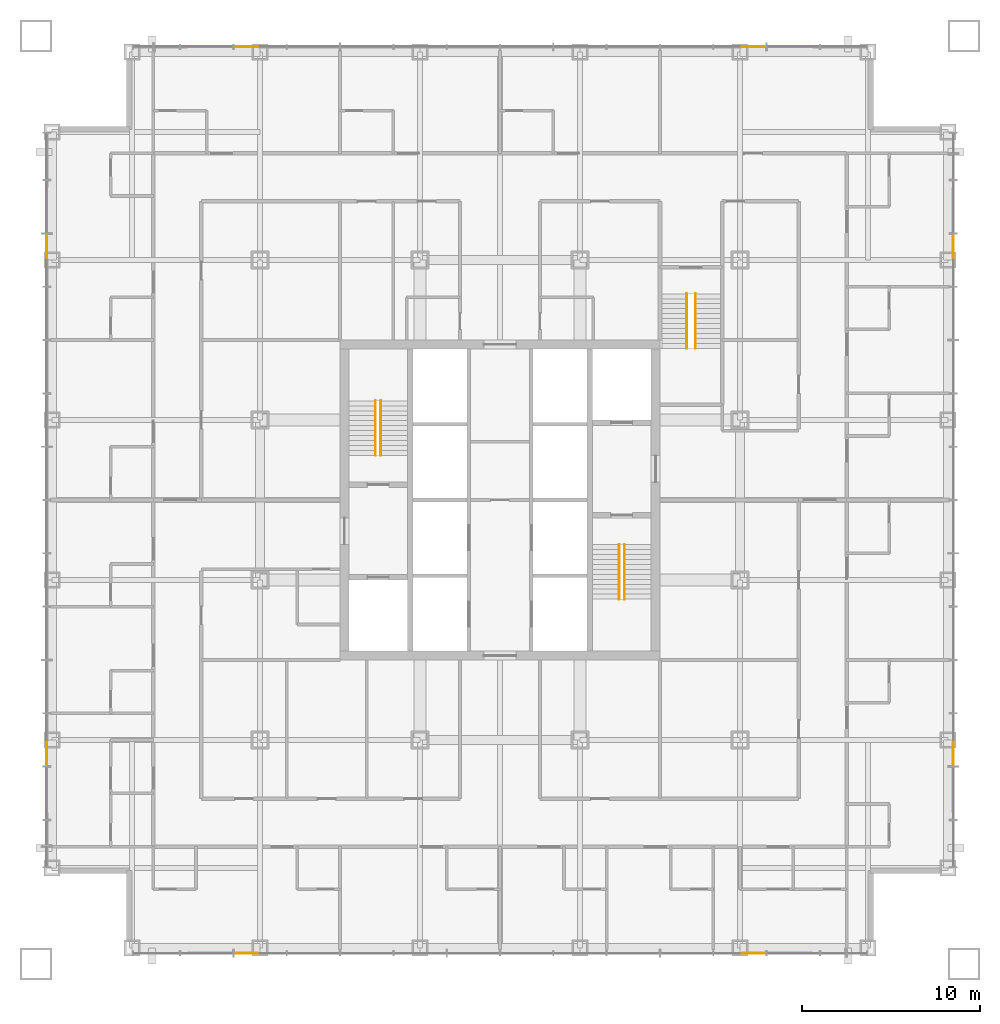
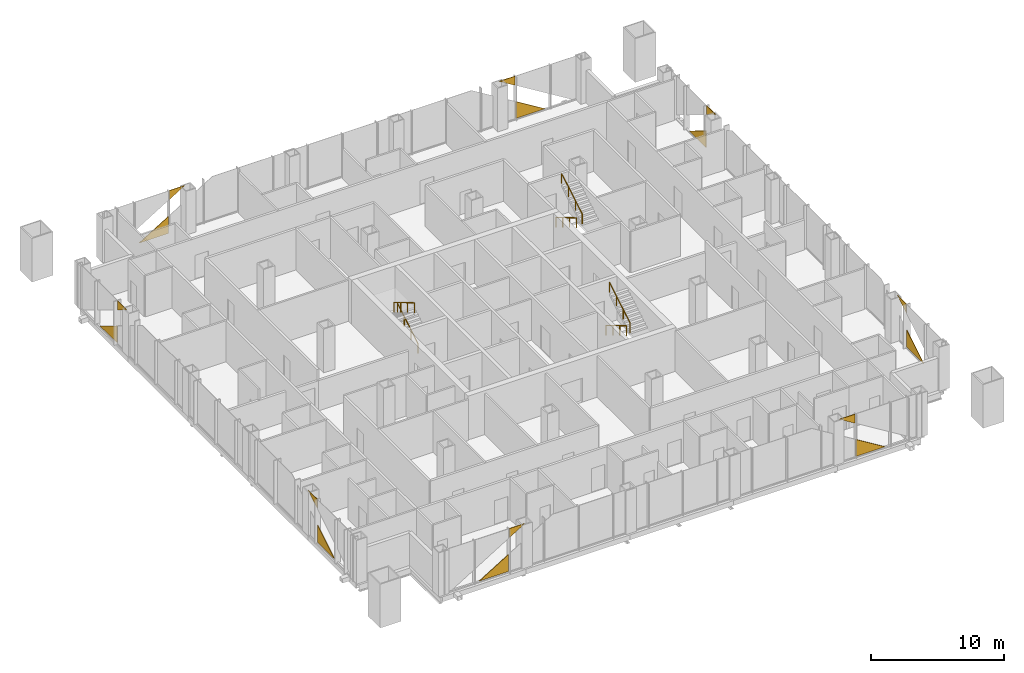
# One storey, part 13 of 13: 16 coverings, 6 railings.
"""IFC4 building model written with IfcOpenShell, lengths in metres."""

from ifc_helpers import new_model, si_unit, direction, frame, origin, origin_2d, place, context, subcontext, project, spatial, polyline, circle, outline, extrude, material, layer, layer_set, type_object, element, save


model = new_model("IFC4")

# Units and contexts
model_context = context("Model", 3, precision=1e-05, world=origin(), true_north=direction((0.0, 1.0)))
body_context = subcontext(model_context, "Body", "Model", "MODEL_VIEW")
ifc_project = project(units=[si_unit("LENGTHUNIT", "METRE"), si_unit("AREAUNIT", "SQUARE_METRE"), si_unit("VOLUMEUNIT", "CUBIC_METRE"), si_unit("PLANEANGLEUNIT", "RADIAN"), si_unit("MASSUNIT", "GRAM", prefix="KILO")], contexts=[model_context])

# Site, building, storey
site_placement = place(None, origin())
site = spatial("IfcSite", under=ifc_project, at=site_placement, CompositionType="ELEMENT")
building_placement = place(site_placement, origin())
building = spatial("IfcBuilding", under=site, at=building_placement, Name="Malebo Sky Hospital", CompositionType="ELEMENT")
storey_placement = place(building_placement, frame((0.0, 0.0, 35.0)))
storey = spatial("IfcBuildingStorey", under=building, at=storey_placement, Name="L07", CompositionType="ELEMENT", Elevation=35.0)

# Coverings
ifc_material_1 = material(Name="Anodised aluminium, natural silver insulated infill panel", Category="aluminium")
ifc_layer = layer(ifc_material_1, 0.0400390625)
ifc_layer_set = layer_set([ifc_layer], Name="BRACE INFILL PANEL 40")
covering_type = type_object("IfcCoveringType", Name="BRACE INFILL PANEL 40", PredefinedType="CLADDING", material=ifc_layer_set)
covering_1_placement = place(storey_placement, frame((43.69970703125, 87.5, 0.10009765625), z_axis=(0.0, 0.0, 1.0), x_axis=(1.0, 0.0, 0.0)))
element("IfcCovering", 1, at=covering_1_placement, inside=storey, type_object=covering_type, Name="Brace infill panel 3.1", PredefinedType="CLADDING", context=body_context, shape_type="SweptSolid", body=[
    extrude(outline(polyline([(-1.2626953125, 0.0), (1.2626953125, 0.0), (1.2626953125, 1.548095703125), (-1.2626953125, 0.0)])), frame((0.0, 0.02001953125, 0.0), z_axis=(0.0, -1.0, 0.0), x_axis=(1.0, 0.0, 0.0)), (0.0, 0.0, 1.0), 0.0400390625),
])
covering_2_placement = place(storey_placement, frame((45.71337890625, 87.5, 3.161376953125), z_axis=(0.0, 0.0, 1.0), x_axis=(1.0, 0.0, 0.0)))
element("IfcCovering", 2, at=covering_2_placement, inside=storey, type_object=covering_type, Name="Brace infill panel 4.1", PredefinedType="CLADDING", context=body_context, shape_type="SweptSolid", body=[
    extrude(outline(polyline([(-0.67578125, 0.0), (0.67578125, 0.82861328125), (-0.67578125, 0.82861328125), (-0.67578125, 0.0)])), frame((0.0, 0.02001953125, 0.0), z_axis=(0.0, -1.0, 0.0), x_axis=(1.0, 0.0, 0.0)), (0.0, 0.0, 1.0), 0.0400390625),
])
covering_3_placement = place(storey_placement, frame((74.28662109375, 87.5, 3.161376953125), z_axis=(0.0, 0.0, 1.0), x_axis=(1.0, 0.0, 0.0)))
element("IfcCovering", 3, at=covering_3_placement, inside=storey, type_object=covering_type, Name="Brace infill panel 13.1", PredefinedType="CLADDING", context=body_context, shape_type="SweptSolid", body=[
    extrude(outline(polyline([(0.67578125, 0.0), (0.67578125, 0.82861328125), (-0.67578125, 0.82861328125), (0.67578125, 0.0)])), frame((0.0, 0.02001953125, 0.0), z_axis=(0.0, -1.0, 0.0), x_axis=(1.0, 0.0, 0.0)), (0.0, 0.0, 1.0), 0.0400390625),
])
covering_4_placement = place(storey_placement, frame((76.30029296875, 87.5, 0.10009765625), z_axis=(0.0, 0.0, 1.0), x_axis=(1.0, 0.0, 0.0)))
element("IfcCovering", 4, at=covering_4_placement, inside=storey, type_object=covering_type, Name="Brace infill panel 14.1", PredefinedType="CLADDING", context=body_context, shape_type="SweptSolid", body=[
    extrude(outline(polyline([(-1.2626953125, 0.0), (1.2626953125, 0.0), (-1.2626953125, 1.548095703125), (-1.2626953125, 0.0)])), frame((0.0, 0.02001953125, 0.0), z_axis=(0.0, -1.0, 0.0), x_axis=(1.0, 0.0, 0.0)), (0.0, 0.0, 1.0), 0.0400390625),
])
covering_5_placement = place(storey_placement, frame((34.5, 45.69970703125, 0.10009765625), z_axis=(0.0, 0.0, 1.0), x_axis=(0.0, 1.0, 0.0)))
element("IfcCovering", 5, at=covering_5_placement, inside=storey, type_object=covering_type, Name="Brace infill panel 3.1", PredefinedType="CLADDING", context=body_context, shape_type="SweptSolid", body=[
    extrude(outline(polyline([(-1.2626953125, 0.0), (1.2626953125, 0.0), (1.2626953125, 1.548095703125), (-1.2626953125, 0.0)])), frame((0.0, 0.02001953125, 0.0), z_axis=(0.0, -1.0, 0.0), x_axis=(1.0, 0.0, 0.0)), (0.0, 0.0, 1.0), 0.0400390625),
])
covering_6_placement = place(storey_placement, frame((34.5, 47.71337890625, 3.161376953125), z_axis=(0.0, 0.0, 1.0), x_axis=(0.0, 1.0, 0.0)))
element("IfcCovering", 6, at=covering_6_placement, inside=storey, type_object=covering_type, Name="Brace infill panel 4.1", PredefinedType="CLADDING", context=body_context, shape_type="SweptSolid", body=[
    extrude(outline(polyline([(-0.67578125, 0.0), (0.67578125, 0.82861328125), (-0.67578125, 0.82861328125), (-0.67578125, 0.0)])), frame((0.0, 0.02001953125, 0.0), z_axis=(0.0, -1.0, 0.0), x_axis=(1.0, 0.0, 0.0)), (0.0, 0.0, 1.0), 0.0400390625),
])
covering_7_placement = place(storey_placement, frame((34.5, 76.28662109375, 3.161376953125), z_axis=(0.0, 0.0, 1.0), x_axis=(0.0, 1.0, 0.0)))
element("IfcCovering", 7, at=covering_7_placement, inside=storey, type_object=covering_type, Name="Brace infill panel 13.1", PredefinedType="CLADDING", context=body_context, shape_type="SweptSolid", body=[
    extrude(outline(polyline([(0.67578125, 0.0), (0.67578125, 0.82861328125), (-0.67578125, 0.82861328125), (0.67578125, 0.0)])), frame((0.0, 0.02001953125, 0.0), z_axis=(0.0, -1.0, 0.0), x_axis=(1.0, 0.0, 0.0)), (0.0, 0.0, 1.0), 0.0400390625),
])
covering_8_placement = place(storey_placement, frame((34.5, 78.30029296875, 0.10009765625), z_axis=(0.0, 0.0, 1.0), x_axis=(0.0, 1.0, 0.0)))
element("IfcCovering", 8, at=covering_8_placement, inside=storey, type_object=covering_type, Name="Brace infill panel 14.1", PredefinedType="CLADDING", context=body_context, shape_type="SweptSolid", body=[
    extrude(outline(polyline([(-1.2626953125, 0.0), (1.2626953125, 0.0), (-1.2626953125, 1.548095703125), (-1.2626953125, 0.0)])), frame((0.0, 0.02001953125, 0.0), z_axis=(0.0, -1.0, 0.0), x_axis=(1.0, 0.0, 0.0)), (0.0, 0.0, 1.0), 0.0400390625),
])
covering_9_placement = place(storey_placement, frame((76.30029296875, 36.5, 0.10009765625), z_axis=(0.0, 0.0, 1.0), x_axis=(-1.0, 0.0, 0.0)))
element("IfcCovering", 9, at=covering_9_placement, inside=storey, type_object=covering_type, Name="Brace infill panel 3.1", PredefinedType="CLADDING", context=body_context, shape_type="SweptSolid", body=[
    extrude(outline(polyline([(-1.2626953125, 0.0), (1.2626953125, 0.0), (1.2626953125, 1.548095703125), (-1.2626953125, 0.0)])), frame((0.0, 0.02001953125, 0.0), z_axis=(0.0, -1.0, 0.0), x_axis=(1.0, 0.0, 0.0)), (0.0, 0.0, 1.0), 0.0400390625),
])
covering_10_placement = place(storey_placement, frame((74.28662109375, 36.5, 3.161376953125), z_axis=(0.0, 0.0, 1.0), x_axis=(-1.0, 0.0, 0.0)))
element("IfcCovering", 10, at=covering_10_placement, inside=storey, type_object=covering_type, Name="Brace infill panel 4.1", PredefinedType="CLADDING", context=body_context, shape_type="SweptSolid", body=[
    extrude(outline(polyline([(-0.67578125, 0.0), (0.67578125, 0.82861328125), (-0.67578125, 0.82861328125), (-0.67578125, 0.0)])), frame((0.0, 0.02001953125, 0.0), z_axis=(0.0, -1.0, 0.0), x_axis=(1.0, 0.0, 0.0)), (0.0, 0.0, 1.0), 0.0400390625),
])
covering_11_placement = place(storey_placement, frame((45.71337890625, 36.5, 3.161376953125), z_axis=(0.0, 0.0, 1.0), x_axis=(-1.0, 0.0, 0.0)))
element("IfcCovering", 11, at=covering_11_placement, inside=storey, type_object=covering_type, Name="Brace infill panel 13.1", PredefinedType="CLADDING", context=body_context, shape_type="SweptSolid", body=[
    extrude(outline(polyline([(0.67578125, 0.0), (0.67578125, 0.82861328125), (-0.67578125, 0.82861328125), (0.67578125, 0.0)])), frame((0.0, 0.02001953125, 0.0), z_axis=(0.0, -1.0, 0.0), x_axis=(1.0, 0.0, 0.0)), (0.0, 0.0, 1.0), 0.0400390625),
])
covering_12_placement = place(storey_placement, frame((43.69970703125, 36.5, 0.10009765625), z_axis=(0.0, 0.0, 1.0), x_axis=(-1.0, 0.0, 0.0)))
element("IfcCovering", 12, at=covering_12_placement, inside=storey, type_object=covering_type, Name="Brace infill panel 14.1", PredefinedType="CLADDING", context=body_context, shape_type="SweptSolid", body=[
    extrude(outline(polyline([(-1.2626953125, 0.0), (1.2626953125, 0.0), (-1.2626953125, 1.548095703125), (-1.2626953125, 0.0)])), frame((0.0, 0.02001953125, 0.0), z_axis=(0.0, -1.0, 0.0), x_axis=(1.0, 0.0, 0.0)), (0.0, 0.0, 1.0), 0.0400390625),
])
covering_13_placement = place(storey_placement, frame((85.5, 78.30029296875, 0.10009765625), z_axis=(0.0, 0.0, 1.0), x_axis=(0.0, -1.0, 0.0)))
element("IfcCovering", 13, at=covering_13_placement, inside=storey, type_object=covering_type, Name="Brace infill panel 3.1", PredefinedType="CLADDING", context=body_context, shape_type="SweptSolid", body=[
    extrude(outline(polyline([(-1.2626953125, 0.0), (1.2626953125, 0.0), (1.2626953125, 1.548095703125), (-1.2626953125, 0.0)])), frame((0.0, 0.02001953125, 0.0), z_axis=(0.0, -1.0, 0.0), x_axis=(1.0, 0.0, 0.0)), (0.0, 0.0, 1.0), 0.0400390625),
])
covering_14_placement = place(storey_placement, frame((85.5, 76.28662109375, 3.161376953125), z_axis=(0.0, 0.0, 1.0), x_axis=(0.0, -1.0, 0.0)))
element("IfcCovering", 14, at=covering_14_placement, inside=storey, type_object=covering_type, Name="Brace infill panel 4.1", PredefinedType="CLADDING", context=body_context, shape_type="SweptSolid", body=[
    extrude(outline(polyline([(-0.67578125, 0.0), (0.67578125, 0.82861328125), (-0.67578125, 0.82861328125), (-0.67578125, 0.0)])), frame((0.0, 0.02001953125, 0.0), z_axis=(0.0, -1.0, 0.0), x_axis=(1.0, 0.0, 0.0)), (0.0, 0.0, 1.0), 0.0400390625),
])
covering_15_placement = place(storey_placement, frame((85.5, 47.71337890625, 3.161376953125), z_axis=(0.0, 0.0, 1.0), x_axis=(0.0, -1.0, 0.0)))
element("IfcCovering", 15, at=covering_15_placement, inside=storey, type_object=covering_type, Name="Brace infill panel 13.1", PredefinedType="CLADDING", context=body_context, shape_type="SweptSolid", body=[
    extrude(outline(polyline([(0.67578125, 0.0), (0.67578125, 0.82861328125), (-0.67578125, 0.82861328125), (0.67578125, 0.0)])), frame((0.0, 0.02001953125, 0.0), z_axis=(0.0, -1.0, 0.0), x_axis=(1.0, 0.0, 0.0)), (0.0, 0.0, 1.0), 0.0400390625),
])
covering_16_placement = place(storey_placement, frame((85.5, 45.69970703125, 0.10009765625), z_axis=(0.0, 0.0, 1.0), x_axis=(0.0, -1.0, 0.0)))
element("IfcCovering", 16, at=covering_16_placement, inside=storey, type_object=covering_type, Name="Brace infill panel 14.1", PredefinedType="CLADDING", context=body_context, shape_type="SweptSolid", body=[
    extrude(outline(polyline([(-1.2626953125, 0.0), (1.2626953125, 0.0), (-1.2626953125, 1.548095703125), (-1.2626953125, 0.0)])), frame((0.0, 0.02001953125, 0.0), z_axis=(0.0, -1.0, 0.0), x_axis=(1.0, 0.0, 0.0)), (0.0, 0.0, 1.0), 0.0400390625),
])

# Railings
ifc_material_2 = material(Name="Stainless steel tube", Category="steel")
railing_type = type_object("IfcRailingType", Name="STAIR HANDRAIL 900", PredefinedType="HANDRAIL", material=ifc_material_2)
railing_1_placement = place(storey_placement, frame((53.300048828125, 64.5, 0.166748046875)))
element("IfcRailing", 17, at=railing_1_placement, inside=storey, type_object=railing_type, Name="Stair handrail S1 flight 1", PredefinedType="HANDRAIL", context=body_context, shape_type="SweptSolid", body=[
    extrude(circle(Radius=0.02392578125, at=origin_2d()), frame((0.0, 0.0, 0.8759765625), z_axis=(0.0, 0.859308565015, 0.511457515432), x_axis=(-1.0, 0.0, 0.0)), (0.0, 0.0, 1.0), 3.58447265625),
    extrude(circle(Radius=0.02099609375, at=origin_2d()), origin(), (0.0, 0.0, 1.0), 0.851806640625),
    extrude(circle(Radius=0.02099609375, at=origin_2d()), frame((0.0, 1.026611328125, 0.611083984375)), (0.0, 0.0, 1.0), 0.851806640625),
    extrude(circle(Radius=0.02099609375, at=origin_2d()), frame((0.0, 2.053466796875, 1.22216796875)), (0.0, 0.0, 1.0), 0.851806640625),
    extrude(circle(Radius=0.02099609375, at=origin_2d()), frame((0.0, 3.080078125, 1.833251953125)), (0.0, 0.0, 1.0), 0.851806640625),
])
for number, where, name in (
    (18, (53.0, 67.580078125, 2.166748046875), "Stair handrail S1 flight 2"),
    (19, (66.699951171875, 59.5, 0.166748046875), "Stair handrail S2 flight 1"),
):
    element("IfcRailing", number, at=place(storey_placement, frame(where)), inside=storey, type_object=railing_type, Name=name, PredefinedType="HANDRAIL", context=body_context, shape_type="SweptSolid", body=[
        extrude(circle(Radius=0.02392578125, at=origin_2d()), frame((0.0, 0.0, 0.8759765625), z_axis=(0.0, -0.859308565015, 0.511457515432), x_axis=(1.0, 0.0, 0.0)), (0.0, 0.0, 1.0), 3.58447265625),
        extrude(circle(Radius=0.02099609375, at=origin_2d()), origin(), (0.0, 0.0, 1.0), 0.851806640625),
        extrude(circle(Radius=0.02099609375, at=origin_2d()), frame((0.0, -1.026611328125, 0.611083984375)), (0.0, 0.0, 1.0), 0.851806640625),
        extrude(circle(Radius=0.02099609375, at=origin_2d()), frame((0.0, -2.053466796875, 1.22216796875)), (0.0, 0.0, 1.0), 0.851806640625),
        extrude(circle(Radius=0.02099609375, at=origin_2d()), frame((0.0, -3.080078125, 1.833251953125)), (0.0, 0.0, 1.0), 0.851806640625),
    ])
railing_2_placement = place(storey_placement, frame((67.0, 56.419921875, 2.166748046875)))
element("IfcRailing", 20, at=railing_2_placement, inside=storey, type_object=railing_type, Name="Stair handrail S2 flight 2", PredefinedType="HANDRAIL", context=body_context, shape_type="SweptSolid", body=[
    extrude(circle(Radius=0.02392578125, at=origin_2d()), frame((0.0, 0.0, 0.8759765625), z_axis=(0.0, 0.859308565015, 0.511457515432), x_axis=(-1.0, 0.0, 0.0)), (0.0, 0.0, 1.0), 3.58447265625),
    extrude(circle(Radius=0.02099609375, at=origin_2d()), origin(), (0.0, 0.0, 1.0), 0.851806640625),
    extrude(circle(Radius=0.02099609375, at=origin_2d()), frame((0.0, 1.026611328125, 0.611083984375)), (0.0, 0.0, 1.0), 0.851806640625),
    extrude(circle(Radius=0.02099609375, at=origin_2d()), frame((0.0, 2.053466796875, 1.22216796875)), (0.0, 0.0, 1.0), 0.851806640625),
    extrude(circle(Radius=0.02099609375, at=origin_2d()), frame((0.0, 3.080078125, 1.833251953125)), (0.0, 0.0, 1.0), 0.851806640625),
])
railing_3_placement = place(storey_placement, frame((70.5, 73.60009765625, 0.166748046875)))
element("IfcRailing", 21, at=railing_3_placement, inside=storey, type_object=railing_type, Name="Stair handrail S3 flight 1", PredefinedType="HANDRAIL", context=body_context, shape_type="SweptSolid", body=[
    extrude(circle(Radius=0.02392578125, at=origin_2d()), frame((0.0, 0.0, 0.8759765625), z_axis=(0.0, -0.859308565015, 0.511457515432), x_axis=(1.0, 0.0, 0.0)), (0.0, 0.0, 1.0), 3.58447265625),
    extrude(circle(Radius=0.02099609375, at=origin_2d()), origin(), (0.0, 0.0, 1.0), 0.851806640625),
    extrude(circle(Radius=0.02099609375, at=origin_2d()), frame((0.0, -1.026611328125, 0.611083984375)), (0.0, 0.0, 1.0), 0.851806640625),
    extrude(circle(Radius=0.02099609375, at=origin_2d()), frame((0.0, -2.053466796875, 1.22216796875)), (0.0, 0.0, 1.0), 0.851806640625),
    extrude(circle(Radius=0.02099609375, at=origin_2d()), frame((0.0, -3.080078125, 1.833251953125)), (0.0, 0.0, 1.0), 0.851806640625),
])
railing_4_placement = place(storey_placement, frame((71.0, 70.52001953125, 2.166748046875)))
element("IfcRailing", 22, at=railing_4_placement, inside=storey, type_object=railing_type, Name="Stair handrail S3 flight 2", PredefinedType="HANDRAIL", context=body_context, shape_type="SweptSolid", body=[
    extrude(circle(Radius=0.02392578125, at=origin_2d()), frame((0.0, 0.0, 0.8759765625), z_axis=(0.0, 0.859308565015, 0.511457515432), x_axis=(-1.0, 0.0, 0.0)), (0.0, 0.0, 1.0), 3.58447265625),
    extrude(circle(Radius=0.02099609375, at=origin_2d()), origin(), (0.0, 0.0, 1.0), 0.851806640625),
    extrude(circle(Radius=0.02099609375, at=origin_2d()), frame((0.0, 1.026611328125, 0.611083984375)), (0.0, 0.0, 1.0), 0.851806640625),
    extrude(circle(Radius=0.02099609375, at=origin_2d()), frame((0.0, 2.053466796875, 1.22216796875)), (0.0, 0.0, 1.0), 0.851806640625),
    extrude(circle(Radius=0.02099609375, at=origin_2d()), frame((0.0, 3.080078125, 1.833251953125)), (0.0, 0.0, 1.0), 0.851806640625),
])

save(model, "model.ifc")
